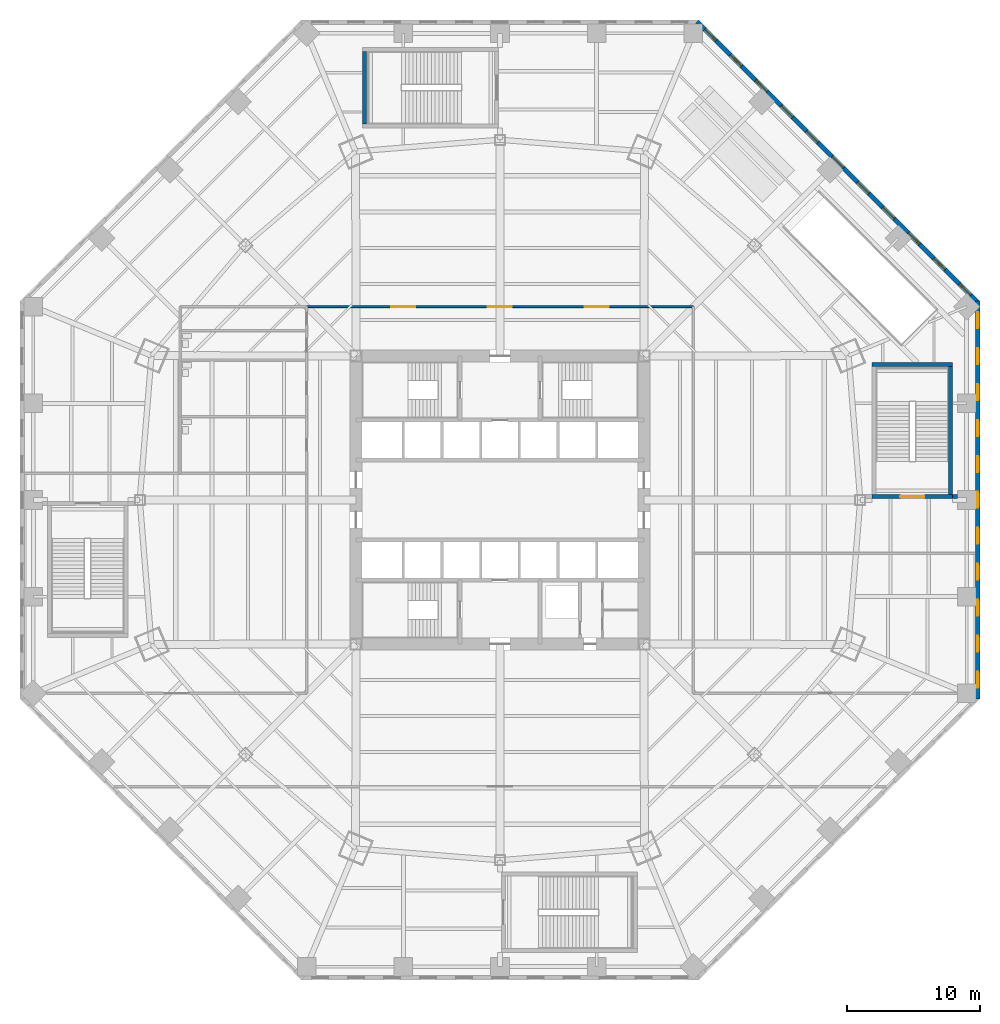
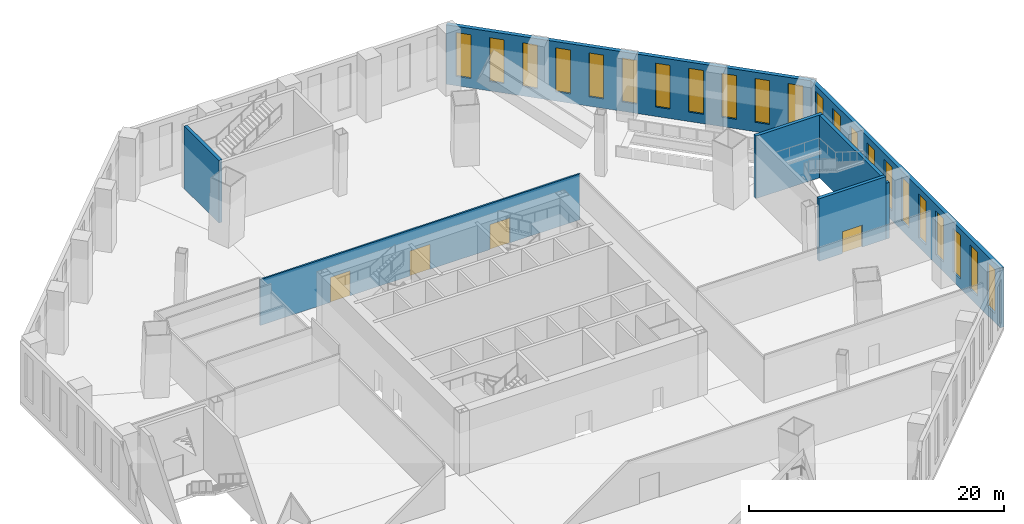
# One storey, part 12 of 20: 22 windows, 8 walls, 4 doors, 26 openings.
"""IFC4 building model written with IfcOpenShell, lengths in metres."""

from ifc_helpers import new_model, si_unit, direction, frame, frame_2d, origin, place, context, subcontext, project, spatial, rectangle, extrude, material, layer, layer_set, type_object, element, fill, save


model = new_model("IFC4")

# Units and contexts
model_context = context("Model", 3, precision=1e-05, world=origin(), true_north=direction((0.0, 1.0)))
body_context = subcontext(model_context, "Body", "Model", "MODEL_VIEW")
ifc_project = project(units=[si_unit("LENGTHUNIT", "METRE"), si_unit("AREAUNIT", "SQUARE_METRE"), si_unit("VOLUMEUNIT", "CUBIC_METRE"), si_unit("PLANEANGLEUNIT", "RADIAN"), si_unit("MASSUNIT", "GRAM", prefix="KILO")], contexts=[model_context])

# Site, building, storey
site_placement = place(None, origin())
site = spatial("IfcSite", under=ifc_project, at=site_placement, CompositionType="ELEMENT")
building_placement = place(site_placement, origin())
building = spatial("IfcBuilding", under=site, at=building_placement, Name="Mashrafa Tower", CompositionType="ELEMENT")
storey_placement = place(building_placement, frame((0.0, 0.0, 7.199951171875)))
storey = spatial("IfcBuildingStorey", under=building, at=storey_placement, Name="L01", CompositionType="ELEMENT", Elevation=7.199951171875)

# Wall, openings, doors
ifc_material_1 = material(Name="Gypsum board on steel studs", Category="steel")
ifc_layer_1 = layer(ifc_material_1, 0.14990234375)
ifc_layer_set_1 = layer_set([ifc_layer_1], Name="Corridor partition 150 1 hr")
wall_type_1 = type_object("IfcWallType", Name="Corridor partition 150 1 hr", PredefinedType="PARTITIONING", material=ifc_layer_set_1)
wall_1_placement = place(storey_placement, frame((14.5, 14.5, 0.0), z_axis=(0.0, 0.0, 1.0), x_axis=(-1.0, 0.0, 0.0)))
wall_1 = element("IfcWall", 1, at=wall_1_placement, inside=storey, type_object=wall_type_1, Name="Corridor wall L01-021", PredefinedType="PARTITIONING", context=body_context, shape_type="SweptSolid", body=[
    extrude(rectangle(XDim=29.0, YDim=0.14990234375, at=frame_2d((14.5, 0.0))), origin(), (0.0, 0.0, 1.0), 4.39013671875),
])
opening_1_placement = place(wall_1_placement, frame((6.35009765625, 0.0, 0.0)))
opening_1 = element("IfcOpeningElement", 2, at=opening_1_placement, cuts=wall_1, Name="Opening 01.007", PredefinedType="OPENING", context=body_context, shape_type="SweptSolid", body=[
    extrude(rectangle(XDim=1.800048828125, YDim=2.39990234375, at=frame_2d((0.89990234375, 1.199951171875))), frame((0.0, 0.0849609375, 0.0), z_axis=(0.0, -1.0, 0.0), x_axis=(1.0, 0.0, 0.0)), (0.0, 0.0, 1.0), 0.169921875),
])
opening_2_placement = place(wall_1_placement, frame((13.60009765625, 0.0, 0.0)))
opening_2 = element("IfcOpeningElement", 3, at=opening_2_placement, cuts=wall_1, Name="Opening 01.008", PredefinedType="OPENING", context=body_context, shape_type="SweptSolid", body=[
    extrude(rectangle(XDim=1.800048828125, YDim=2.39990234375, at=frame_2d((0.89990234375, 1.199951171875))), frame((0.0, 0.0849609375, 0.0), z_axis=(0.0, -1.0, 0.0), x_axis=(1.0, 0.0, 0.0)), (0.0, 0.0, 1.0), 0.169921875),
])
opening_3_placement = place(wall_1_placement, frame((20.85009765625, 0.0, 0.0)))
opening_3 = element("IfcOpeningElement", 4, at=opening_3_placement, cuts=wall_1, Name="Opening 01.009", PredefinedType="OPENING", context=body_context, shape_type="SweptSolid", body=[
    extrude(rectangle(XDim=1.800048828125, YDim=2.39990234375, at=frame_2d((0.89990234375, 1.199951171875))), frame((0.0, 0.0849609375, 0.0), z_axis=(0.0, -1.0, 0.0), x_axis=(1.0, 0.0, 0.0)), (0.0, 0.0, 1.0), 0.169921875),
])
ifc_material_2 = material(Name="Timber door", Category="wood")
door_type_1 = type_object("IfcDoorType", Name="Door pair 1800 x 2400", OperationType="DOUBLE_DOOR_SINGLE_SWING", PredefinedType="DOOR", material=ifc_material_2)
door_1_placement = place(opening_1_placement, frame((1.800048828125, 0.0, 0.0), z_axis=(0.0, 0.0, 1.0), x_axis=(-1.0, 0.0, 0.0)))
door_1 = element("IfcDoor", 5, at=door_1_placement, inside=storey, type_object=door_type_1, Name="Exhibition Hall L01 door", OperationType="DOUBLE_DOOR_SINGLE_SWING", OverallHeight=2.39990234375, OverallWidth=1.800048828125, PredefinedType="DOOR", context=body_context, shape_type="SweptSolid", body=[
    extrude(rectangle(XDim=1.800048828125, YDim=2.39990234375, at=frame_2d((0.89990234375, 1.199951171875))), frame((0.0, 0.02490234375, 0.0), z_axis=(0.0, -1.0, 0.0), x_axis=(1.0, 0.0, 0.0)), (0.0, 0.0, 1.0), 0.050048828125),
])
fill(opening_1, door_1)
door_2_placement = place(opening_2_placement, frame((1.800048828125, 0.0, 0.0), z_axis=(0.0, 0.0, 1.0), x_axis=(-1.0, 0.0, 0.0)))
door_2 = element("IfcDoor", 6, at=door_2_placement, inside=storey, type_object=door_type_1, Name="Exhibition Hall L01 door", OperationType="DOUBLE_DOOR_SINGLE_SWING", OverallHeight=2.39990234375, OverallWidth=1.800048828125, PredefinedType="DOOR", context=body_context, shape_type="SweptSolid", body=[
    extrude(rectangle(XDim=1.800048828125, YDim=2.39990234375, at=frame_2d((0.89990234375, 1.199951171875))), frame((0.0, 0.02490234375, 0.0), z_axis=(0.0, -1.0, 0.0), x_axis=(1.0, 0.0, 0.0)), (0.0, 0.0, 1.0), 0.050048828125),
])
fill(opening_2, door_2)
door_3_placement = place(opening_3_placement, frame((1.800048828125, 0.0, 0.0), z_axis=(0.0, 0.0, 1.0), x_axis=(-1.0, 0.0, 0.0)))
door_3 = element("IfcDoor", 7, at=door_3_placement, inside=storey, type_object=door_type_1, Name="Exhibition Hall L01 door", OperationType="DOUBLE_DOOR_SINGLE_SWING", OverallHeight=2.39990234375, OverallWidth=1.800048828125, PredefinedType="DOOR", context=body_context, shape_type="SweptSolid", body=[
    extrude(rectangle(XDim=1.800048828125, YDim=2.39990234375, at=frame_2d((0.89990234375, 1.199951171875))), frame((0.0, 0.02490234375, 0.0), z_axis=(0.0, -1.0, 0.0), x_axis=(1.0, 0.0, 0.0)), (0.0, 0.0, 1.0), 0.050048828125),
])
fill(opening_3, door_3)

# Wall, openings, windows
ifc_material_3 = material(Name="Riyadh limestone cladding on blockwork", Category="masonry")
ifc_layer_2 = layer(ifc_material_3, 0.35009765625)
ifc_layer_set_2 = layer_set([ifc_layer_2], Name="Limestone-clad external wall 350")
wall_type_2 = type_object("IfcWallType", Name="Limestone-clad external wall 350", PredefinedType="SOLIDWALL", material=ifc_layer_set_2)
wall_2_placement = place(storey_placement, frame((35.824951171875, -14.91162109375, 0.0), z_axis=(0.0, 0.0, 1.0), x_axis=(0.0, 1.0, 0.0)))
wall_2 = element("IfcWall", 8, at=wall_2_placement, inside=storey, type_object=wall_type_2, Name="Limestone-clad external wall L01 east", PredefinedType="SOLIDWALL", context=body_context, shape_type="SweptSolid", body=[
    extrude(rectangle(XDim=29.8232421875, YDim=0.35009765625, at=frame_2d((14.91162109375, 0.0))), origin(), (0.0, 0.0, 1.0), 5.699951171875),
])
opening_4_placement = place(wall_2_placement, frame((0.821533203125, 0.0, 0.89990234375)))
opening_4 = element("IfcOpeningElement", 9, at=opening_4_placement, cuts=wall_2, Name="Opening W1", PredefinedType="OPENING", context=body_context, shape_type="SweptSolid", body=[
    extrude(rectangle(XDim=1.199951171875, YDim=4.199951171875, at=frame_2d((0.60009765625, 2.10009765625))), frame((0.0, 0.18505859375, 0.0), z_axis=(0.0, -1.0, 0.0), x_axis=(1.0, 0.0, 0.0)), (0.0, 0.0, 1.0), 0.3701171875),
])
opening_5_placement = place(wall_2_placement, frame((3.51953125, 0.0, 0.89990234375)))
opening_5 = element("IfcOpeningElement", 10, at=opening_5_placement, cuts=wall_2, Name="Opening W1", PredefinedType="OPENING", context=body_context, shape_type="SweptSolid", body=[
    extrude(rectangle(XDim=1.199951171875, YDim=4.199951171875, at=frame_2d((0.60009765625, 2.10009765625))), frame((0.0, 0.18505859375, 0.0), z_axis=(0.0, -1.0, 0.0), x_axis=(1.0, 0.0, 0.0)), (0.0, 0.0, 1.0), 0.3701171875),
])
opening_6_placement = place(wall_2_placement, frame((6.217529296875, 0.0, 0.89990234375)))
opening_6 = element("IfcOpeningElement", 11, at=opening_6_placement, cuts=wall_2, Name="Opening W1", PredefinedType="OPENING", context=body_context, shape_type="SweptSolid", body=[
    extrude(rectangle(XDim=1.199951171875, YDim=4.199951171875, at=frame_2d((0.60009765625, 2.10009765625))), frame((0.0, 0.18505859375, 0.0), z_axis=(0.0, -1.0, 0.0), x_axis=(1.0, 0.0, 0.0)), (0.0, 0.0, 1.0), 0.3701171875),
])
opening_7_placement = place(wall_2_placement, frame((8.91552734375, 0.0, 0.89990234375)))
opening_7 = element("IfcOpeningElement", 12, at=opening_7_placement, cuts=wall_2, Name="Opening W1", PredefinedType="OPENING", context=body_context, shape_type="SweptSolid", body=[
    extrude(rectangle(XDim=1.199951171875, YDim=4.199951171875, at=frame_2d((0.60009765625, 2.10009765625))), frame((0.0, 0.18505859375, 0.0), z_axis=(0.0, -1.0, 0.0), x_axis=(1.0, 0.0, 0.0)), (0.0, 0.0, 1.0), 0.3701171875),
])
opening_8_placement = place(wall_2_placement, frame((11.61376953125, 0.0, 0.89990234375)))
opening_8 = element("IfcOpeningElement", 13, at=opening_8_placement, cuts=wall_2, Name="Opening W1", PredefinedType="OPENING", context=body_context, shape_type="SweptSolid", body=[
    extrude(rectangle(XDim=1.199951171875, YDim=4.199951171875, at=frame_2d((0.60009765625, 2.10009765625))), frame((0.0, 0.18505859375, 0.0), z_axis=(0.0, -1.0, 0.0), x_axis=(1.0, 0.0, 0.0)), (0.0, 0.0, 1.0), 0.3701171875),
])
opening_9_placement = place(wall_2_placement, frame((14.311767578125, 0.0, 0.89990234375)))
opening_9 = element("IfcOpeningElement", 14, at=opening_9_placement, cuts=wall_2, Name="Opening W1", PredefinedType="OPENING", context=body_context, shape_type="SweptSolid", body=[
    extrude(rectangle(XDim=1.199951171875, YDim=4.199951171875, at=frame_2d((0.60009765625, 2.10009765625))), frame((0.0, 0.18505859375, 0.0), z_axis=(0.0, -1.0, 0.0), x_axis=(1.0, 0.0, 0.0)), (0.0, 0.0, 1.0), 0.3701171875),
])
opening_10_placement = place(wall_2_placement, frame((17.009765625, 0.0, 0.89990234375)))
opening_10 = element("IfcOpeningElement", 15, at=opening_10_placement, cuts=wall_2, Name="Opening W1", PredefinedType="OPENING", context=body_context, shape_type="SweptSolid", body=[
    extrude(rectangle(XDim=1.199951171875, YDim=4.199951171875, at=frame_2d((0.60009765625, 2.10009765625))), frame((0.0, 0.18505859375, 0.0), z_axis=(0.0, -1.0, 0.0), x_axis=(1.0, 0.0, 0.0)), (0.0, 0.0, 1.0), 0.3701171875),
])
opening_11_placement = place(wall_2_placement, frame((19.707763671875, 0.0, 0.89990234375)))
opening_11 = element("IfcOpeningElement", 16, at=opening_11_placement, cuts=wall_2, Name="Opening W1", PredefinedType="OPENING", context=body_context, shape_type="SweptSolid", body=[
    extrude(rectangle(XDim=1.199951171875, YDim=4.199951171875, at=frame_2d((0.60009765625, 2.10009765625))), frame((0.0, 0.18505859375, 0.0), z_axis=(0.0, -1.0, 0.0), x_axis=(1.0, 0.0, 0.0)), (0.0, 0.0, 1.0), 0.3701171875),
])
opening_12_placement = place(wall_2_placement, frame((22.40576171875, 0.0, 0.89990234375)))
opening_12 = element("IfcOpeningElement", 17, at=opening_12_placement, cuts=wall_2, Name="Opening W1", PredefinedType="OPENING", context=body_context, shape_type="SweptSolid", body=[
    extrude(rectangle(XDim=1.199951171875, YDim=4.199951171875, at=frame_2d((0.60009765625, 2.10009765625))), frame((0.0, 0.18505859375, 0.0), z_axis=(0.0, -1.0, 0.0), x_axis=(1.0, 0.0, 0.0)), (0.0, 0.0, 1.0), 0.3701171875),
])
opening_13_placement = place(wall_2_placement, frame((25.103759765625, 0.0, 0.89990234375)))
opening_13 = element("IfcOpeningElement", 18, at=opening_13_placement, cuts=wall_2, Name="Opening W1", PredefinedType="OPENING", context=body_context, shape_type="SweptSolid", body=[
    extrude(rectangle(XDim=1.199951171875, YDim=4.199951171875, at=frame_2d((0.60009765625, 2.10009765625))), frame((0.0, 0.18505859375, 0.0), z_axis=(0.0, -1.0, 0.0), x_axis=(1.0, 0.0, 0.0)), (0.0, 0.0, 1.0), 0.3701171875),
])
opening_14_placement = place(wall_2_placement, frame((27.8017578125, 0.0, 0.89990234375)))
opening_14 = element("IfcOpeningElement", 19, at=opening_14_placement, cuts=wall_2, Name="Opening W1", PredefinedType="OPENING", context=body_context, shape_type="SweptSolid", body=[
    extrude(rectangle(XDim=1.199951171875, YDim=4.199951171875, at=frame_2d((0.60009765625, 2.10009765625))), frame((0.0, 0.18505859375, 0.0), z_axis=(0.0, -1.0, 0.0), x_axis=(1.0, 0.0, 0.0)), (0.0, 0.0, 1.0), 0.3701171875),
])
ifc_material_4 = material(Name="Bronze-framed insulated glazing", Category="glass")
window_type = type_object("IfcWindowType", Name="Tall punched window 1200 x 4200", PartitioningType="DOUBLE_PANEL_HORIZONTAL", PredefinedType="WINDOW", material=ifc_material_4)
window_1_placement = place(opening_4_placement, origin())
window_1 = element("IfcWindow", 20, at=window_1_placement, inside=storey, type_object=window_type, Name="Window W1 L01 east bay 1", OverallHeight=4.199951171875, OverallWidth=1.199951171875, PartitioningType="SINGLE_PANEL", PredefinedType="WINDOW", context=body_context, shape_type="SweptSolid", body=[
    extrude(rectangle(XDim=1.199951171875, YDim=4.199951171875, at=frame_2d((0.60009765625, 2.10009765625))), frame((0.0, 0.030029296875, 0.0), z_axis=(0.0, -1.0, 0.0), x_axis=(1.0, 0.0, 0.0)), (0.0, 0.0, 1.0), 0.06005859375),
])
fill(opening_4, window_1)
window_2_placement = place(opening_5_placement, origin())
window_2 = element("IfcWindow", 21, at=window_2_placement, inside=storey, type_object=window_type, Name="Window W1 L01 east bay 2", OverallHeight=4.199951171875, OverallWidth=1.199951171875, PartitioningType="SINGLE_PANEL", PredefinedType="WINDOW", context=body_context, shape_type="SweptSolid", body=[
    extrude(rectangle(XDim=1.199951171875, YDim=4.199951171875, at=frame_2d((0.60009765625, 2.10009765625))), frame((0.0, 0.030029296875, 0.0), z_axis=(0.0, -1.0, 0.0), x_axis=(1.0, 0.0, 0.0)), (0.0, 0.0, 1.0), 0.06005859375),
])
fill(opening_5, window_2)
window_3_placement = place(opening_6_placement, origin())
window_3 = element("IfcWindow", 22, at=window_3_placement, inside=storey, type_object=window_type, Name="Window W1 L01 east bay 3", OverallHeight=4.199951171875, OverallWidth=1.199951171875, PartitioningType="SINGLE_PANEL", PredefinedType="WINDOW", context=body_context, shape_type="SweptSolid", body=[
    extrude(rectangle(XDim=1.199951171875, YDim=4.199951171875, at=frame_2d((0.60009765625, 2.10009765625))), frame((0.0, 0.030029296875, 0.0), z_axis=(0.0, -1.0, 0.0), x_axis=(1.0, 0.0, 0.0)), (0.0, 0.0, 1.0), 0.06005859375),
])
fill(opening_6, window_3)
window_4_placement = place(opening_7_placement, origin())
window_4 = element("IfcWindow", 23, at=window_4_placement, inside=storey, type_object=window_type, Name="Window W1 L01 east bay 4", OverallHeight=4.199951171875, OverallWidth=1.199951171875, PartitioningType="SINGLE_PANEL", PredefinedType="WINDOW", context=body_context, shape_type="SweptSolid", body=[
    extrude(rectangle(XDim=1.199951171875, YDim=4.199951171875, at=frame_2d((0.60009765625, 2.10009765625))), frame((0.0, 0.030029296875, 0.0), z_axis=(0.0, -1.0, 0.0), x_axis=(1.0, 0.0, 0.0)), (0.0, 0.0, 1.0), 0.06005859375),
])
fill(opening_7, window_4)
window_5_placement = place(opening_8_placement, origin())
window_5 = element("IfcWindow", 24, at=window_5_placement, inside=storey, type_object=window_type, Name="Window W1 L01 east bay 5", OverallHeight=4.199951171875, OverallWidth=1.199951171875, PartitioningType="SINGLE_PANEL", PredefinedType="WINDOW", context=body_context, shape_type="SweptSolid", body=[
    extrude(rectangle(XDim=1.199951171875, YDim=4.199951171875, at=frame_2d((0.60009765625, 2.10009765625))), frame((0.0, 0.030029296875, 0.0), z_axis=(0.0, -1.0, 0.0), x_axis=(1.0, 0.0, 0.0)), (0.0, 0.0, 1.0), 0.06005859375),
])
fill(opening_8, window_5)
window_6_placement = place(opening_9_placement, origin())
window_6 = element("IfcWindow", 25, at=window_6_placement, inside=storey, type_object=window_type, Name="Window W1 L01 east bay 6", OverallHeight=4.199951171875, OverallWidth=1.199951171875, PartitioningType="SINGLE_PANEL", PredefinedType="WINDOW", context=body_context, shape_type="SweptSolid", body=[
    extrude(rectangle(XDim=1.199951171875, YDim=4.199951171875, at=frame_2d((0.60009765625, 2.10009765625))), frame((0.0, 0.030029296875, 0.0), z_axis=(0.0, -1.0, 0.0), x_axis=(1.0, 0.0, 0.0)), (0.0, 0.0, 1.0), 0.06005859375),
])
fill(opening_9, window_6)
window_7_placement = place(opening_10_placement, origin())
window_7 = element("IfcWindow", 26, at=window_7_placement, inside=storey, type_object=window_type, Name="Window W1 L01 east bay 7", OverallHeight=4.199951171875, OverallWidth=1.199951171875, PartitioningType="SINGLE_PANEL", PredefinedType="WINDOW", context=body_context, shape_type="SweptSolid", body=[
    extrude(rectangle(XDim=1.199951171875, YDim=4.199951171875, at=frame_2d((0.60009765625, 2.10009765625))), frame((0.0, 0.030029296875, 0.0), z_axis=(0.0, -1.0, 0.0), x_axis=(1.0, 0.0, 0.0)), (0.0, 0.0, 1.0), 0.06005859375),
])
fill(opening_10, window_7)
window_8_placement = place(opening_11_placement, origin())
window_8 = element("IfcWindow", 27, at=window_8_placement, inside=storey, type_object=window_type, Name="Window W1 L01 east bay 8", OverallHeight=4.199951171875, OverallWidth=1.199951171875, PartitioningType="SINGLE_PANEL", PredefinedType="WINDOW", context=body_context, shape_type="SweptSolid", body=[
    extrude(rectangle(XDim=1.199951171875, YDim=4.199951171875, at=frame_2d((0.60009765625, 2.10009765625))), frame((0.0, 0.030029296875, 0.0), z_axis=(0.0, -1.0, 0.0), x_axis=(1.0, 0.0, 0.0)), (0.0, 0.0, 1.0), 0.06005859375),
])
fill(opening_11, window_8)
window_9_placement = place(opening_12_placement, origin())
window_9 = element("IfcWindow", 28, at=window_9_placement, inside=storey, type_object=window_type, Name="Window W1 L01 east bay 9", OverallHeight=4.199951171875, OverallWidth=1.199951171875, PartitioningType="SINGLE_PANEL", PredefinedType="WINDOW", context=body_context, shape_type="SweptSolid", body=[
    extrude(rectangle(XDim=1.199951171875, YDim=4.199951171875, at=frame_2d((0.60009765625, 2.10009765625))), frame((0.0, 0.030029296875, 0.0), z_axis=(0.0, -1.0, 0.0), x_axis=(1.0, 0.0, 0.0)), (0.0, 0.0, 1.0), 0.06005859375),
])
fill(opening_12, window_9)
window_10_placement = place(opening_13_placement, origin())
window_10 = element("IfcWindow", 29, at=window_10_placement, inside=storey, type_object=window_type, Name="Window W1 L01 east bay 10", OverallHeight=4.199951171875, OverallWidth=1.199951171875, PartitioningType="SINGLE_PANEL", PredefinedType="WINDOW", context=body_context, shape_type="SweptSolid", body=[
    extrude(rectangle(XDim=1.199951171875, YDim=4.199951171875, at=frame_2d((0.60009765625, 2.10009765625))), frame((0.0, 0.030029296875, 0.0), z_axis=(0.0, -1.0, 0.0), x_axis=(1.0, 0.0, 0.0)), (0.0, 0.0, 1.0), 0.06005859375),
])
fill(opening_13, window_10)
window_11_placement = place(opening_14_placement, origin())
window_11 = element("IfcWindow", 30, at=window_11_placement, inside=storey, type_object=window_type, Name="Window W1 L01 east bay 11", OverallHeight=4.199951171875, OverallWidth=1.199951171875, PartitioningType="SINGLE_PANEL", PredefinedType="WINDOW", context=body_context, shape_type="SweptSolid", body=[
    extrude(rectangle(XDim=1.199951171875, YDim=4.199951171875, at=frame_2d((0.60009765625, 2.10009765625))), frame((0.0, 0.030029296875, 0.0), z_axis=(0.0, -1.0, 0.0), x_axis=(1.0, 0.0, 0.0)), (0.0, 0.0, 1.0), 0.06005859375),
])
fill(opening_14, window_11)

wall_3_placement = place(storey_placement, frame((35.876220703125, 14.787841796875, 0.0), z_axis=(0.0, 0.0, 1.0), x_axis=(-0.707106781187, 0.707106781187, 0.0)))
wall_3 = element("IfcWall", 31, at=wall_3_placement, inside=storey, type_object=wall_type_2, Name="Limestone-clad external wall L01 north-east", PredefinedType="SOLIDWALL", context=body_context, shape_type="SweptSolid", body=[
    extrude(rectangle(XDim=29.823486328125, YDim=0.35009765625, at=frame_2d((14.91162109375, 0.0))), origin(), (0.0, 0.0, 1.0), 5.699951171875),
])
opening_15_placement = place(wall_3_placement, frame((0.821533203125, 0.0, 0.89990234375)))
opening_15 = element("IfcOpeningElement", 32, at=opening_15_placement, cuts=wall_3, Name="Opening W1", PredefinedType="OPENING", context=body_context, shape_type="SweptSolid", body=[
    extrude(rectangle(XDim=1.199951171875, YDim=4.199951171875, at=frame_2d((0.60009765625, 2.10009765625))), frame((0.0, 0.18505859375, 0.0), z_axis=(0.0, -1.0, 0.0), x_axis=(1.0, 0.0, 0.0)), (0.0, 0.0, 1.0), 0.3701171875),
])
opening_16_placement = place(wall_3_placement, frame((3.51953125, 0.0, 0.89990234375)))
opening_16 = element("IfcOpeningElement", 33, at=opening_16_placement, cuts=wall_3, Name="Opening W1", PredefinedType="OPENING", context=body_context, shape_type="SweptSolid", body=[
    extrude(rectangle(XDim=1.199951171875, YDim=4.199951171875, at=frame_2d((0.60009765625, 2.10009765625))), frame((0.0, 0.18505859375, 0.0), z_axis=(0.0, -1.0, 0.0), x_axis=(1.0, 0.0, 0.0)), (0.0, 0.0, 1.0), 0.3701171875),
])
opening_17_placement = place(wall_3_placement, frame((6.217529296875, 0.0, 0.89990234375)))
opening_17 = element("IfcOpeningElement", 34, at=opening_17_placement, cuts=wall_3, Name="Opening W1", PredefinedType="OPENING", context=body_context, shape_type="SweptSolid", body=[
    extrude(rectangle(XDim=1.199951171875, YDim=4.199951171875, at=frame_2d((0.60009765625, 2.10009765625))), frame((0.0, 0.18505859375, 0.0), z_axis=(0.0, -1.0, 0.0), x_axis=(1.0, 0.0, 0.0)), (0.0, 0.0, 1.0), 0.3701171875),
])
opening_18_placement = place(wall_3_placement, frame((8.91552734375, 0.0, 0.89990234375)))
opening_18 = element("IfcOpeningElement", 35, at=opening_18_placement, cuts=wall_3, Name="Opening W1", PredefinedType="OPENING", context=body_context, shape_type="SweptSolid", body=[
    extrude(rectangle(XDim=1.199951171875, YDim=4.199951171875, at=frame_2d((0.60009765625, 2.10009765625))), frame((0.0, 0.18505859375, 0.0), z_axis=(0.0, -1.0, 0.0), x_axis=(1.0, 0.0, 0.0)), (0.0, 0.0, 1.0), 0.3701171875),
])
opening_19_placement = place(wall_3_placement, frame((11.61376953125, 0.0, 0.89990234375)))
opening_19 = element("IfcOpeningElement", 36, at=opening_19_placement, cuts=wall_3, Name="Opening W1", PredefinedType="OPENING", context=body_context, shape_type="SweptSolid", body=[
    extrude(rectangle(XDim=1.199951171875, YDim=4.199951171875, at=frame_2d((0.60009765625, 2.10009765625))), frame((0.0, 0.18505859375, 0.0), z_axis=(0.0, -1.0, 0.0), x_axis=(1.0, 0.0, 0.0)), (0.0, 0.0, 1.0), 0.3701171875),
])
opening_20_placement = place(wall_3_placement, frame((14.311767578125, 0.0, 0.89990234375)))
opening_20 = element("IfcOpeningElement", 37, at=opening_20_placement, cuts=wall_3, Name="Opening W1", PredefinedType="OPENING", context=body_context, shape_type="SweptSolid", body=[
    extrude(rectangle(XDim=1.199951171875, YDim=4.199951171875, at=frame_2d((0.60009765625, 2.10009765625))), frame((0.0, 0.18505859375, 0.0), z_axis=(0.0, -1.0, 0.0), x_axis=(1.0, 0.0, 0.0)), (0.0, 0.0, 1.0), 0.3701171875),
])
opening_21_placement = place(wall_3_placement, frame((17.009765625, 0.0, 0.89990234375)))
opening_21 = element("IfcOpeningElement", 38, at=opening_21_placement, cuts=wall_3, Name="Opening W1", PredefinedType="OPENING", context=body_context, shape_type="SweptSolid", body=[
    extrude(rectangle(XDim=1.199951171875, YDim=4.199951171875, at=frame_2d((0.60009765625, 2.10009765625))), frame((0.0, 0.18505859375, 0.0), z_axis=(0.0, -1.0, 0.0), x_axis=(1.0, 0.0, 0.0)), (0.0, 0.0, 1.0), 0.3701171875),
])
opening_22_placement = place(wall_3_placement, frame((19.707763671875, 0.0, 0.89990234375)))
opening_22 = element("IfcOpeningElement", 39, at=opening_22_placement, cuts=wall_3, Name="Opening W1", PredefinedType="OPENING", context=body_context, shape_type="SweptSolid", body=[
    extrude(rectangle(XDim=1.199951171875, YDim=4.199951171875, at=frame_2d((0.60009765625, 2.10009765625))), frame((0.0, 0.18505859375, 0.0), z_axis=(0.0, -1.0, 0.0), x_axis=(1.0, 0.0, 0.0)), (0.0, 0.0, 1.0), 0.3701171875),
])
opening_23_placement = place(wall_3_placement, frame((22.40576171875, 0.0, 0.89990234375)))
opening_23 = element("IfcOpeningElement", 40, at=opening_23_placement, cuts=wall_3, Name="Opening W1", PredefinedType="OPENING", context=body_context, shape_type="SweptSolid", body=[
    extrude(rectangle(XDim=1.199951171875, YDim=4.199951171875, at=frame_2d((0.60009765625, 2.10009765625))), frame((0.0, 0.18505859375, 0.0), z_axis=(0.0, -1.0, 0.0), x_axis=(1.0, 0.0, 0.0)), (0.0, 0.0, 1.0), 0.3701171875),
])
opening_24_placement = place(wall_3_placement, frame((25.103759765625, 0.0, 0.89990234375)))
opening_24 = element("IfcOpeningElement", 41, at=opening_24_placement, cuts=wall_3, Name="Opening W1", PredefinedType="OPENING", context=body_context, shape_type="SweptSolid", body=[
    extrude(rectangle(XDim=1.199951171875, YDim=4.199951171875, at=frame_2d((0.60009765625, 2.10009765625))), frame((0.0, 0.18505859375, 0.0), z_axis=(0.0, -1.0, 0.0), x_axis=(1.0, 0.0, 0.0)), (0.0, 0.0, 1.0), 0.3701171875),
])
opening_25_placement = place(wall_3_placement, frame((27.8017578125, 0.0, 0.89990234375)))
opening_25 = element("IfcOpeningElement", 42, at=opening_25_placement, cuts=wall_3, Name="Opening W1", PredefinedType="OPENING", context=body_context, shape_type="SweptSolid", body=[
    extrude(rectangle(XDim=1.199951171875, YDim=4.199951171875, at=frame_2d((0.60009765625, 2.10009765625))), frame((0.0, 0.18505859375, 0.0), z_axis=(0.0, -1.0, 0.0), x_axis=(1.0, 0.0, 0.0)), (0.0, 0.0, 1.0), 0.3701171875),
])
window_12_placement = place(opening_15_placement, origin())
window_12 = element("IfcWindow", 43, at=window_12_placement, inside=storey, type_object=window_type, Name="Window W1 L01 north-east bay 1", OverallHeight=4.199951171875, OverallWidth=1.199951171875, PartitioningType="SINGLE_PANEL", PredefinedType="WINDOW", context=body_context, shape_type="SweptSolid", body=[
    extrude(rectangle(XDim=1.199951171875, YDim=4.199951171875, at=frame_2d((0.60009765625, 2.10009765625))), frame((0.0, 0.030029296875, 0.0), z_axis=(0.0, -1.0, 0.0), x_axis=(1.0, 0.0, 0.0)), (0.0, 0.0, 1.0), 0.06005859375),
])
fill(opening_15, window_12)
window_13_placement = place(opening_16_placement, origin())
window_13 = element("IfcWindow", 44, at=window_13_placement, inside=storey, type_object=window_type, Name="Window W1 L01 north-east bay 2", OverallHeight=4.199951171875, OverallWidth=1.199951171875, PartitioningType="SINGLE_PANEL", PredefinedType="WINDOW", context=body_context, shape_type="SweptSolid", body=[
    extrude(rectangle(XDim=1.199951171875, YDim=4.199951171875, at=frame_2d((0.60009765625, 2.10009765625))), frame((0.0, 0.030029296875, 0.0), z_axis=(0.0, -1.0, 0.0), x_axis=(1.0, 0.0, 0.0)), (0.0, 0.0, 1.0), 0.06005859375),
])
fill(opening_16, window_13)
window_14_placement = place(opening_17_placement, origin())
window_14 = element("IfcWindow", 45, at=window_14_placement, inside=storey, type_object=window_type, Name="Window W1 L01 north-east bay 3", OverallHeight=4.199951171875, OverallWidth=1.199951171875, PartitioningType="SINGLE_PANEL", PredefinedType="WINDOW", context=body_context, shape_type="SweptSolid", body=[
    extrude(rectangle(XDim=1.199951171875, YDim=4.199951171875, at=frame_2d((0.60009765625, 2.10009765625))), frame((0.0, 0.030029296875, 0.0), z_axis=(0.0, -1.0, 0.0), x_axis=(1.0, 0.0, 0.0)), (0.0, 0.0, 1.0), 0.06005859375),
])
fill(opening_17, window_14)
window_15_placement = place(opening_18_placement, origin())
window_15 = element("IfcWindow", 46, at=window_15_placement, inside=storey, type_object=window_type, Name="Window W1 L01 north-east bay 4", OverallHeight=4.199951171875, OverallWidth=1.199951171875, PartitioningType="SINGLE_PANEL", PredefinedType="WINDOW", context=body_context, shape_type="SweptSolid", body=[
    extrude(rectangle(XDim=1.199951171875, YDim=4.199951171875, at=frame_2d((0.60009765625, 2.10009765625))), frame((0.0, 0.030029296875, 0.0), z_axis=(0.0, -1.0, 0.0), x_axis=(1.0, 0.0, 0.0)), (0.0, 0.0, 1.0), 0.06005859375),
])
fill(opening_18, window_15)
window_16_placement = place(opening_19_placement, origin())
window_16 = element("IfcWindow", 47, at=window_16_placement, inside=storey, type_object=window_type, Name="Window W1 L01 north-east bay 5", OverallHeight=4.199951171875, OverallWidth=1.199951171875, PartitioningType="SINGLE_PANEL", PredefinedType="WINDOW", context=body_context, shape_type="SweptSolid", body=[
    extrude(rectangle(XDim=1.199951171875, YDim=4.199951171875, at=frame_2d((0.60009765625, 2.10009765625))), frame((0.0, 0.030029296875, 0.0), z_axis=(0.0, -1.0, 0.0), x_axis=(1.0, 0.0, 0.0)), (0.0, 0.0, 1.0), 0.06005859375),
])
fill(opening_19, window_16)
window_17_placement = place(opening_20_placement, origin())
window_17 = element("IfcWindow", 48, at=window_17_placement, inside=storey, type_object=window_type, Name="Window W1 L01 north-east bay 6", OverallHeight=4.199951171875, OverallWidth=1.199951171875, PartitioningType="SINGLE_PANEL", PredefinedType="WINDOW", context=body_context, shape_type="SweptSolid", body=[
    extrude(rectangle(XDim=1.199951171875, YDim=4.199951171875, at=frame_2d((0.60009765625, 2.10009765625))), frame((0.0, 0.030029296875, 0.0), z_axis=(0.0, -1.0, 0.0), x_axis=(1.0, 0.0, 0.0)), (0.0, 0.0, 1.0), 0.06005859375),
])
fill(opening_20, window_17)
window_18_placement = place(opening_21_placement, origin())
window_18 = element("IfcWindow", 49, at=window_18_placement, inside=storey, type_object=window_type, Name="Window W1 L01 north-east bay 7", OverallHeight=4.199951171875, OverallWidth=1.199951171875, PartitioningType="SINGLE_PANEL", PredefinedType="WINDOW", context=body_context, shape_type="SweptSolid", body=[
    extrude(rectangle(XDim=1.199951171875, YDim=4.199951171875, at=frame_2d((0.60009765625, 2.10009765625))), frame((0.0, 0.030029296875, 0.0), z_axis=(0.0, -1.0, 0.0), x_axis=(1.0, 0.0, 0.0)), (0.0, 0.0, 1.0), 0.06005859375),
])
fill(opening_21, window_18)
window_19_placement = place(opening_22_placement, origin())
window_19 = element("IfcWindow", 50, at=window_19_placement, inside=storey, type_object=window_type, Name="Window W1 L01 north-east bay 8", OverallHeight=4.199951171875, OverallWidth=1.199951171875, PartitioningType="SINGLE_PANEL", PredefinedType="WINDOW", context=body_context, shape_type="SweptSolid", body=[
    extrude(rectangle(XDim=1.199951171875, YDim=4.199951171875, at=frame_2d((0.60009765625, 2.10009765625))), frame((0.0, 0.030029296875, 0.0), z_axis=(0.0, -1.0, 0.0), x_axis=(1.0, 0.0, 0.0)), (0.0, 0.0, 1.0), 0.06005859375),
])
fill(opening_22, window_19)
window_20_placement = place(opening_23_placement, origin())
window_20 = element("IfcWindow", 51, at=window_20_placement, inside=storey, type_object=window_type, Name="Window W1 L01 north-east bay 9", OverallHeight=4.199951171875, OverallWidth=1.199951171875, PartitioningType="SINGLE_PANEL", PredefinedType="WINDOW", context=body_context, shape_type="SweptSolid", body=[
    extrude(rectangle(XDim=1.199951171875, YDim=4.199951171875, at=frame_2d((0.60009765625, 2.10009765625))), frame((0.0, 0.030029296875, 0.0), z_axis=(0.0, -1.0, 0.0), x_axis=(1.0, 0.0, 0.0)), (0.0, 0.0, 1.0), 0.06005859375),
])
fill(opening_23, window_20)
window_21_placement = place(opening_24_placement, origin())
window_21 = element("IfcWindow", 52, at=window_21_placement, inside=storey, type_object=window_type, Name="Window W1 L01 north-east bay 10", OverallHeight=4.199951171875, OverallWidth=1.199951171875, PartitioningType="SINGLE_PANEL", PredefinedType="WINDOW", context=body_context, shape_type="SweptSolid", body=[
    extrude(rectangle(XDim=1.199951171875, YDim=4.199951171875, at=frame_2d((0.60009765625, 2.10009765625))), frame((0.0, 0.030029296875, 0.0), z_axis=(0.0, -1.0, 0.0), x_axis=(1.0, 0.0, 0.0)), (0.0, 0.0, 1.0), 0.06005859375),
])
fill(opening_24, window_21)
window_22_placement = place(opening_25_placement, origin())
window_22 = element("IfcWindow", 53, at=window_22_placement, inside=storey, type_object=window_type, Name="Window W1 L01 north-east bay 11", OverallHeight=4.199951171875, OverallWidth=1.199951171875, PartitioningType="SINGLE_PANEL", PredefinedType="WINDOW", context=body_context, shape_type="SweptSolid", body=[
    extrude(rectangle(XDim=1.199951171875, YDim=4.199951171875, at=frame_2d((0.60009765625, 2.10009765625))), frame((0.0, 0.030029296875, 0.0), z_axis=(0.0, -1.0, 0.0), x_axis=(1.0, 0.0, 0.0)), (0.0, 0.0, 1.0), 0.06005859375),
])
fill(opening_25, window_22)

# Wall, opening, door
ifc_material_5 = material(Name="Concrete C35/45", Category="concrete")
ifc_layer_3 = layer(ifc_material_5, 0.300048828125)
ifc_layer_set_3 = layer_set([ifc_layer_3], Name="Stair core wall 300 3 hr")
wall_type_3 = type_object("IfcWallType", Name="Stair core wall 300 3 hr", PredefinedType="SOLIDWALL", material=ifc_layer_set_3)
wall_4_placement = place(storey_placement, frame((27.89990234375, 0.25, 0.0), z_axis=(0.0, 0.0, 1.0), x_axis=(1.0, 0.0, 0.0)))
wall_4 = element("IfcWall", 54, at=wall_4_placement, inside=storey, type_object=wall_type_3, Name="Stair P1 core wall S L01", PredefinedType="SOLIDWALL", context=body_context, shape_type="SweptSolid", body=[
    extrude(rectangle(XDim=6.050048828125, YDim=0.300048828125, at=frame_2d((3.02490234375, 0.0))), origin(), (0.0, 0.0, 1.0), 6.0),
])
opening_26_placement = place(wall_4_placement, frame((2.125, 0.0, 0.0)))
opening_26 = element("IfcOpeningElement", 55, at=opening_26_placement, cuts=wall_4, Name="Opening 01.024", PredefinedType="OPENING", context=body_context, shape_type="SweptSolid", body=[
    extrude(rectangle(XDim=1.800048828125, YDim=2.10009765625, at=frame_2d((0.89990234375, 1.050048828125))), frame((0.0, 0.159912109375, 0.0), z_axis=(0.0, -1.0, 0.0), x_axis=(1.0, 0.0, 0.0)), (0.0, 0.0, 1.0), 0.320068359375),
])
ifc_material_6 = material(Name="Steel door", Category="steel")
door_type_2 = type_object("IfcDoorType", Name="Stair door pair 1800 x 2100 90 min", OperationType="DOUBLE_DOOR_SINGLE_SWING", PredefinedType="DOOR", material=ifc_material_6)
door_4_placement = place(opening_26_placement, origin())
door_4 = element("IfcDoor", 56, at=door_4_placement, inside=storey, type_object=door_type_2, Name="Stair P1 door L01", OperationType="DOUBLE_DOOR_SINGLE_SWING", OverallHeight=2.10009765625, OverallWidth=1.800048828125, PredefinedType="DOOR", context=body_context, shape_type="SweptSolid", body=[
    extrude(rectangle(XDim=1.800048828125, YDim=2.10009765625, at=frame_2d((0.89990234375, 1.050048828125))), frame((0.0, 0.02490234375, 0.0), z_axis=(0.0, -1.0, 0.0), x_axis=(1.0, 0.0, 0.0)), (0.0, 0.0, 1.0), 0.050048828125),
])
fill(opening_26, door_4)

# Walls
wall_5_placement = place(storey_placement, frame((33.949951171875, 0.25, 0.0), z_axis=(0.0, 0.0, 1.0), x_axis=(1.0, 0.0, 0.0)))
element("IfcWall", 57, at=wall_5_placement, inside=storey, type_object=wall_type_3, Name="Stair P1 core wall S L01 end piece 2", PredefinedType="SOLIDWALL", context=body_context, shape_type="SweptSolid", body=[
    extrude(rectangle(XDim=0.35009765625, YDim=0.300048828125, at=frame_2d((0.175048828125, 0.0))), origin(), (0.0, 0.0, 1.0), 5.344482421875),
])
wall_6_placement = place(storey_placement, frame((33.949951171875, 10.14990234375, 0.0), z_axis=(0.0, 0.0, 1.0), x_axis=(-1.0, 0.0, 0.0)))
element("IfcWall", 58, at=wall_6_placement, inside=storey, type_object=wall_type_3, Name="Stair P1 core wall N L01", PredefinedType="SOLIDWALL", context=body_context, shape_type="SweptSolid", body=[
    extrude(rectangle(XDim=6.050048828125, YDim=0.300048828125, at=frame_2d((3.02490234375, 0.0))), origin(), (0.0, 0.0, 1.0), 6.0),
])
wall_7_placement = place(storey_placement, frame((33.800048828125, 0.39990234375, 0.0), z_axis=(0.0, 0.0, 1.0), x_axis=(0.0, 1.0, 0.0)))
element("IfcWall", 59, at=wall_7_placement, inside=storey, type_object=wall_type_3, Name="Stair P1 core wall E L01", PredefinedType="SOLIDWALL", context=body_context, shape_type="SweptSolid", body=[
    extrude(rectangle(XDim=9.60009765625, YDim=0.300048828125, at=frame_2d((4.800048828125, 0.0))), origin(), (0.0, 0.0, 1.0), 6.0),
])
wall_8_placement = place(storey_placement, frame((-10.14990234375, 33.64990234375, 0.0), z_axis=(0.0, 0.0, 1.0), x_axis=(0.0, -1.0, 0.0)))
element("IfcWall", 60, at=wall_8_placement, inside=storey, type_object=wall_type_3, Name="Stair P2 core wall W L01", PredefinedType="SOLIDWALL", context=body_context, shape_type="SweptSolid", body=[
    extrude(rectangle(XDim=5.449951171875, YDim=0.300048828125, at=frame_2d((2.72509765625, 0.0))), origin(), (0.0, 0.0, 1.0), 6.0),
])

save(model, "model.ifc")
